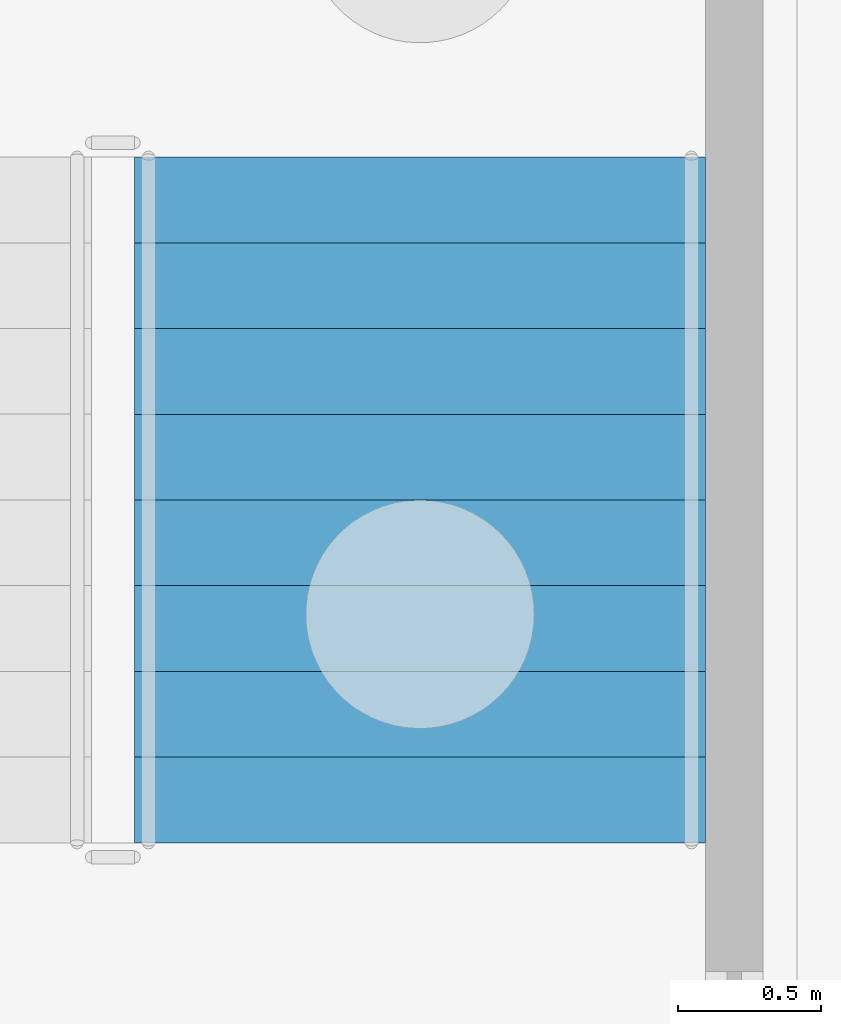
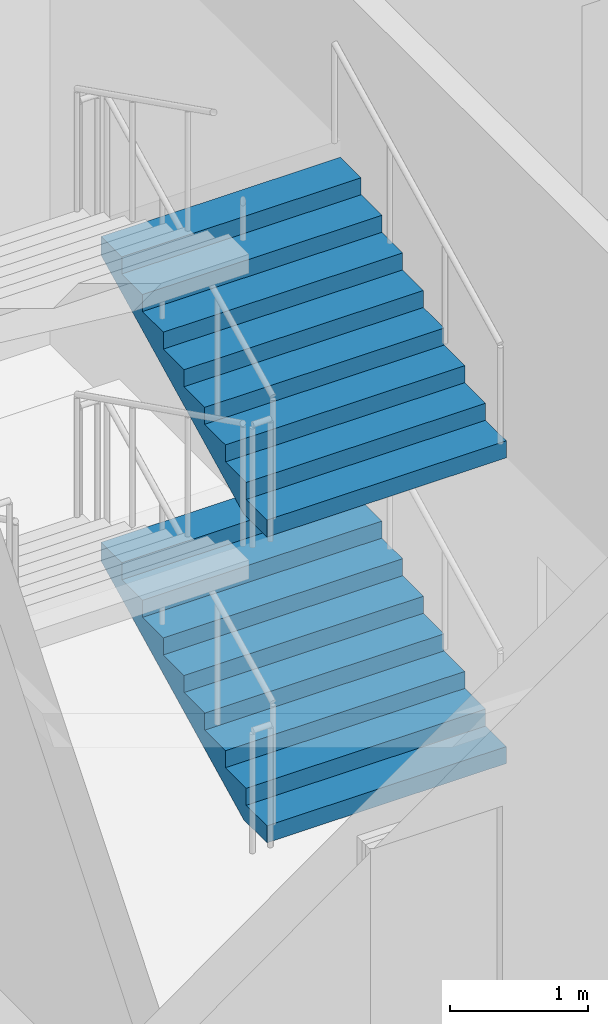
# One storey, part 73 of 129: 2 stair flights, 1 element without a shape of its own.
"""IFC4 building model written with IfcOpenShell, lengths in metres."""

from ifc_helpers import new_model, si_unit, direction, frame, origin, place, context, subcontext, project, spatial, faceted_brep, material, type_object, element, aggregate, save


model = new_model("IFC4")

# Units and contexts
model_context = context("Model", 3, precision=1e-05, world=origin(), true_north=direction((0.0, 1.0)))
body_context = subcontext(model_context, "Body", "Model", "MODEL_VIEW")
ifc_project = project(units=[si_unit("LENGTHUNIT", "METRE"), si_unit("AREAUNIT", "SQUARE_METRE"), si_unit("VOLUMEUNIT", "CUBIC_METRE"), si_unit("PLANEANGLEUNIT", "RADIAN"), si_unit("MASSUNIT", "GRAM", prefix="KILO")], contexts=[model_context])

# Site, building, storey
site_placement = place(None, origin())
site = spatial("IfcSite", under=ifc_project, at=site_placement, CompositionType="ELEMENT")
building_placement = place(site_placement, origin())
building = spatial("IfcBuilding", under=site, at=building_placement, Name="Kiln Court Media Centre", CompositionType="ELEMENT")
storey_placement = place(building_placement, origin())
storey = spatial("IfcBuildingStorey", under=building, at=storey_placement, Name="L00", CompositionType="ELEMENT", Elevation=0.0)

# Stair, stair flights
ifc_material_1 = material(Name="Concrete C40/50", Category="concrete")
stair_type = type_object("IfcStairType", Name="Concrete C40/50 dog-leg stair 2000 wide, 150 riser", PredefinedType="HALF_TURN_STAIR", material=ifc_material_1)
stair_placement = place(storey_placement, origin())
stair = element("IfcStair", 1, at=stair_placement, inside=storey, type_object=stair_type, Name="ST-06 L00", PredefinedType="HALF_TURN_STAIR")
ifc_material_2 = material(Name="Concrete C40/50", Category="concrete")
stair_flight_type = type_object("IfcStairFlightType", Name="Concrete C40/50 stair flight 2000 wide, 150 riser, 300 going", PredefinedType="STRAIGHT", material=ifc_material_2)
stair_flight_1_placement = place(storey_placement, frame((3.60009765625, 36.39990234375, 0.0), z_axis=(0.0, 0.0, 1.0), x_axis=(0.0, 1.0, 0.0)))
stair_flight_1 = element("IfcStairFlight", 2, at=stair_flight_1_placement, type_object=stair_flight_type, Name="L00-ST-5005 flight 5020", NumberOfRisers=9, NumberOfTreads=8, PredefinedType="STRAIGHT", RiserHeight=0.15, TreadLength=0.3, context=body_context, shape_type="Brep", body=[
    faceted_brep([(0.335205078125, -1.0, 0.0), (2.39990234375, -1.0, 1.032470703125), (2.39990234375, -1.0, 1.199951171875), (2.10009765625, -1.0, 1.199951171875), (2.10009765625, -1.0, 1.050048828125), (1.800048828125, -1.0, 1.050048828125), (1.800048828125, -1.0, 0.89990234375), (1.5, -1.0, 0.89990234375), (1.5, -1.0, 0.75), (1.199951171875, -1.0, 0.75), (1.199951171875, -1.0, 0.60009765625), (0.89990234375, -1.0, 0.60009765625), (0.89990234375, -1.0, 0.449951171875), (0.60009765625, -1.0, 0.449951171875), (0.60009765625, -1.0, 0.300048828125), (0.300048828125, -1.0, 0.300048828125), (0.300048828125, -1.0, 0.14990234375), (0.0, -1.0, 0.14990234375), (0.0, -1.0, 0.0), (0.0, 1.0, 0.0), (0.0, 1.0, 0.14990234375), (0.300048828125, 1.0, 0.14990234375), (0.300048828125, 1.0, 0.300048828125), (0.60009765625, 1.0, 0.300048828125), (0.60009765625, 1.0, 0.449951171875), (0.89990234375, 1.0, 0.449951171875), (0.89990234375, 1.0, 0.60009765625), (1.199951171875, 1.0, 0.60009765625), (1.199951171875, 1.0, 0.75), (1.5, 1.0, 0.75), (1.5, 1.0, 0.89990234375), (1.800048828125, 1.0, 0.89990234375), (1.800048828125, 1.0, 1.050048828125), (2.10009765625, 1.0, 1.050048828125), (2.10009765625, 1.0, 1.199951171875), (2.39990234375, 1.0, 1.199951171875), (2.39990234375, 1.0, 1.032470703125), (0.335205078125, 1.0, 0.0), (2.39990234375, 0.10009765625, 1.032470703125), (0.335205078125, 0.10009765625, 0.0), (2.39990234375, 0.080078125, 1.032470703125), (0.335205078125, 0.080078125, 0.0), (2.39990234375, 0.06005859375, 1.032470703125), (0.335205078125, 0.06005859375, 0.0), (2.39990234375, 0.0400390625, 1.032470703125), (0.335205078125, 0.0400390625, 0.0), (2.39990234375, 0.02001953125, 1.032470703125), (0.335205078125, 0.02001953125, 0.0), (2.39990234375, 0.0, 1.032470703125), (0.335205078125, 0.0, 0.0), (2.39990234375, -0.02001953125, 1.032470703125), (0.335205078125, -0.02001953125, 0.0), (2.39990234375, -0.0400390625, 1.032470703125), (0.335205078125, -0.0400390625, 0.0), (2.39990234375, -0.06005859375, 1.032470703125), (0.335205078125, -0.06005859375, 0.0), (2.39990234375, -0.080078125, 1.032470703125), (0.335205078125, -0.080078125, 0.0), (2.39990234375, -0.10009765625, 1.032470703125), (0.335205078125, -0.10009765625, 0.0), (2.39990234375, 0.10009765625, 1.199951171875), (2.39990234375, 0.080078125, 1.199951171875), (2.39990234375, 0.06005859375, 1.199951171875), (2.39990234375, 0.0400390625, 1.199951171875), (2.39990234375, 0.02001953125, 1.199951171875), (2.39990234375, 0.0, 1.199951171875), (2.39990234375, -0.02001953125, 1.199951171875), (2.39990234375, -0.0400390625, 1.199951171875), (2.39990234375, -0.06005859375, 1.199951171875), (2.39990234375, -0.080078125, 1.199951171875), (2.39990234375, -0.10009765625, 1.199951171875), (2.10009765625, 0.10009765625, 1.199951171875), (2.10009765625, 0.080078125, 1.199951171875), (2.10009765625, 0.06005859375, 1.199951171875), (2.10009765625, 0.0400390625, 1.199951171875), (2.10009765625, 0.02001953125, 1.199951171875), (2.10009765625, 0.0, 1.199951171875), (2.10009765625, -0.02001953125, 1.199951171875), (2.10009765625, -0.0400390625, 1.199951171875), (2.10009765625, -0.06005859375, 1.199951171875), (2.10009765625, -0.080078125, 1.199951171875), (2.10009765625, -0.10009765625, 1.199951171875), (2.10009765625, 0.10009765625, 1.050048828125), (2.10009765625, 0.080078125, 1.050048828125), (2.10009765625, 0.06005859375, 1.050048828125), (2.10009765625, 0.0400390625, 1.050048828125), (2.10009765625, 0.02001953125, 1.050048828125), (2.10009765625, 0.0, 1.050048828125), (2.10009765625, -0.02001953125, 1.050048828125), (2.10009765625, -0.0400390625, 1.050048828125), (2.10009765625, -0.06005859375, 1.050048828125), (2.10009765625, -0.080078125, 1.050048828125), (2.10009765625, -0.10009765625, 1.050048828125), (1.800048828125, 0.10009765625, 1.050048828125), (1.800048828125, 0.080078125, 1.050048828125), (1.800048828125, 0.06005859375, 1.050048828125), (1.800048828125, 0.0400390625, 1.050048828125), (1.800048828125, 0.02001953125, 1.050048828125), (1.800048828125, 0.0, 1.050048828125), (1.800048828125, -0.02001953125, 1.050048828125), (1.800048828125, -0.0400390625, 1.050048828125), (1.800048828125, -0.06005859375, 1.050048828125), (1.800048828125, -0.080078125, 1.050048828125), (1.800048828125, -0.10009765625, 1.050048828125), (1.800048828125, 0.10009765625, 0.89990234375), (1.800048828125, 0.080078125, 0.89990234375), (1.800048828125, 0.06005859375, 0.89990234375), (1.800048828125, 0.0400390625, 0.89990234375), (1.800048828125, 0.02001953125, 0.89990234375), (1.800048828125, 0.0, 0.89990234375), (1.800048828125, -0.02001953125, 0.89990234375), (1.800048828125, -0.0400390625, 0.89990234375), (1.800048828125, -0.06005859375, 0.89990234375), (1.800048828125, -0.080078125, 0.89990234375), (1.800048828125, -0.10009765625, 0.89990234375), (1.5, 0.10009765625, 0.89990234375), (1.5, 0.080078125, 0.89990234375), (1.5, 0.06005859375, 0.89990234375), (1.5, 0.0400390625, 0.89990234375), (1.5, 0.02001953125, 0.89990234375), (1.5, 0.0, 0.89990234375), (1.5, -0.02001953125, 0.89990234375), (1.5, -0.0400390625, 0.89990234375), (1.5, -0.06005859375, 0.89990234375), (1.5, -0.080078125, 0.89990234375), (1.5, -0.10009765625, 0.89990234375), (1.5, 0.10009765625, 0.75), (1.5, 0.080078125, 0.75), (1.5, 0.06005859375, 0.75), (1.5, 0.0400390625, 0.75), (1.5, 0.02001953125, 0.75), (1.5, 0.0, 0.75), (1.5, -0.02001953125, 0.75), (1.5, -0.0400390625, 0.75), (1.5, -0.06005859375, 0.75), (1.5, -0.080078125, 0.75), (1.5, -0.10009765625, 0.75), (1.199951171875, 0.10009765625, 0.75), (1.199951171875, 0.080078125, 0.75), (1.199951171875, 0.06005859375, 0.75), (1.199951171875, 0.0400390625, 0.75), (1.199951171875, 0.02001953125, 0.75), (1.199951171875, 0.0, 0.75), (1.199951171875, -0.02001953125, 0.75), (1.199951171875, -0.0400390625, 0.75), (1.199951171875, -0.06005859375, 0.75), (1.199951171875, -0.080078125, 0.75), (1.199951171875, -0.10009765625, 0.75), (1.199951171875, 0.10009765625, 0.60009765625), (1.199951171875, 0.080078125, 0.60009765625), (1.199951171875, 0.06005859375, 0.60009765625), (1.199951171875, 0.0400390625, 0.60009765625), (1.199951171875, 0.02001953125, 0.60009765625), (1.199951171875, 0.0, 0.60009765625), (1.199951171875, -0.02001953125, 0.60009765625), (1.199951171875, -0.0400390625, 0.60009765625), (1.199951171875, -0.06005859375, 0.60009765625), (1.199951171875, -0.080078125, 0.60009765625), (1.199951171875, -0.10009765625, 0.60009765625), (0.89990234375, 0.10009765625, 0.60009765625), (0.89990234375, 0.080078125, 0.60009765625), (0.89990234375, 0.06005859375, 0.60009765625), (0.89990234375, 0.0400390625, 0.60009765625), (0.89990234375, 0.02001953125, 0.60009765625), (0.89990234375, 0.0, 0.60009765625), (0.89990234375, -0.02001953125, 0.60009765625), (0.89990234375, -0.0400390625, 0.60009765625), (0.89990234375, -0.06005859375, 0.60009765625), (0.89990234375, -0.080078125, 0.60009765625), (0.89990234375, -0.10009765625, 0.60009765625), (0.89990234375, 0.10009765625, 0.449951171875), (0.89990234375, 0.080078125, 0.449951171875), (0.89990234375, 0.06005859375, 0.449951171875), (0.89990234375, 0.0400390625, 0.449951171875), (0.89990234375, 0.02001953125, 0.449951171875), (0.89990234375, 0.0, 0.449951171875), (0.89990234375, -0.02001953125, 0.449951171875), (0.89990234375, -0.0400390625, 0.449951171875), (0.89990234375, -0.06005859375, 0.449951171875), (0.89990234375, -0.080078125, 0.449951171875), (0.89990234375, -0.10009765625, 0.449951171875), (0.60009765625, 0.10009765625, 0.449951171875), (0.60009765625, 0.080078125, 0.449951171875), (0.60009765625, 0.06005859375, 0.449951171875), (0.60009765625, 0.0400390625, 0.449951171875), (0.60009765625, 0.02001953125, 0.449951171875), (0.60009765625, 0.0, 0.449951171875), (0.60009765625, -0.02001953125, 0.449951171875), (0.60009765625, -0.0400390625, 0.449951171875), (0.60009765625, -0.06005859375, 0.449951171875), (0.60009765625, -0.080078125, 0.449951171875), (0.60009765625, -0.10009765625, 0.449951171875), (0.60009765625, 0.10009765625, 0.300048828125), (0.60009765625, 0.080078125, 0.300048828125), (0.60009765625, 0.06005859375, 0.300048828125), (0.60009765625, 0.0400390625, 0.300048828125), (0.60009765625, 0.02001953125, 0.300048828125), (0.60009765625, 0.0, 0.300048828125), (0.60009765625, -0.02001953125, 0.300048828125), (0.60009765625, -0.0400390625, 0.300048828125), (0.60009765625, -0.06005859375, 0.300048828125), (0.60009765625, -0.080078125, 0.300048828125), (0.60009765625, -0.10009765625, 0.300048828125), (0.300048828125, 0.10009765625, 0.300048828125), (0.300048828125, 0.080078125, 0.300048828125), (0.300048828125, 0.06005859375, 0.300048828125), (0.300048828125, 0.0400390625, 0.300048828125), (0.300048828125, 0.02001953125, 0.300048828125), (0.300048828125, 0.0, 0.300048828125), (0.300048828125, -0.02001953125, 0.300048828125), (0.300048828125, -0.0400390625, 0.300048828125), (0.300048828125, -0.06005859375, 0.300048828125), (0.300048828125, -0.080078125, 0.300048828125), (0.300048828125, -0.10009765625, 0.300048828125), (0.300048828125, 0.10009765625, 0.14990234375), (0.300048828125, 0.080078125, 0.14990234375), (0.300048828125, 0.06005859375, 0.14990234375), (0.300048828125, 0.0400390625, 0.14990234375), (0.300048828125, 0.02001953125, 0.14990234375), (0.300048828125, 0.0, 0.14990234375), (0.300048828125, -0.02001953125, 0.14990234375), (0.300048828125, -0.0400390625, 0.14990234375), (0.300048828125, -0.06005859375, 0.14990234375), (0.300048828125, -0.080078125, 0.14990234375), (0.300048828125, -0.10009765625, 0.14990234375), (0.0, 0.10009765625, 0.14990234375), (0.0, 0.080078125, 0.14990234375), (0.0, 0.06005859375, 0.14990234375), (0.0, 0.0400390625, 0.14990234375), (0.0, 0.02001953125, 0.14990234375), (0.0, 0.0, 0.14990234375), (0.0, -0.02001953125, 0.14990234375), (0.0, -0.0400390625, 0.14990234375), (0.0, -0.06005859375, 0.14990234375), (0.0, -0.080078125, 0.14990234375), (0.0, -0.10009765625, 0.14990234375), (0.0, 0.10009765625, 0.0), (0.0, 0.080078125, 0.0), (0.0, 0.06005859375, 0.0), (0.0, 0.0400390625, 0.0), (0.0, 0.02001953125, 0.0), (0.0, 0.0, 0.0), (0.0, -0.02001953125, 0.0), (0.0, -0.0400390625, 0.0), (0.0, -0.06005859375, 0.0), (0.0, -0.080078125, 0.0), (0.0, -0.10009765625, 0.0)], [[[0, 1, 2, 3, 4, 5, 6, 7, 8, 9, 10, 11, 12, 13, 14, 15, 16, 17, 18]], [[19, 20, 21, 22, 23, 24, 25, 26, 27, 28, 29, 30, 31, 32, 33, 34, 35, 36, 37]], [[37, 36, 38, 39]], [[39, 38, 40, 41]], [[41, 40, 42, 43]], [[43, 42, 44, 45]], [[45, 44, 46, 47]], [[47, 46, 48, 49]], [[49, 48, 50, 51]], [[51, 50, 52, 53]], [[53, 52, 54, 55]], [[55, 54, 56, 57]], [[57, 56, 58, 59]], [[59, 58, 1, 0]], [[36, 35, 60, 38]], [[38, 60, 61, 40]], [[40, 61, 62, 42]], [[42, 62, 63, 44]], [[44, 63, 64, 46]], [[46, 64, 65, 48]], [[48, 65, 66, 50]], [[50, 66, 67, 52]], [[52, 67, 68, 54]], [[54, 68, 69, 56]], [[56, 69, 70, 58]], [[58, 70, 2, 1]], [[35, 34, 71, 60]], [[60, 71, 72, 61]], [[61, 72, 73, 62]], [[62, 73, 74, 63]], [[63, 74, 75, 64]], [[64, 75, 76, 65]], [[65, 76, 77, 66]], [[66, 77, 78, 67]], [[67, 78, 79, 68]], [[68, 79, 80, 69]], [[69, 80, 81, 70]], [[70, 81, 3, 2]], [[34, 33, 82, 71]], [[71, 82, 83, 72]], [[72, 83, 84, 73]], [[73, 84, 85, 74]], [[74, 85, 86, 75]], [[75, 86, 87, 76]], [[76, 87, 88, 77]], [[77, 88, 89, 78]], [[78, 89, 90, 79]], [[79, 90, 91, 80]], [[80, 91, 92, 81]], [[81, 92, 4, 3]], [[33, 32, 93, 82]], [[82, 93, 94, 83]], [[83, 94, 95, 84]], [[84, 95, 96, 85]], [[85, 96, 97, 86]], [[86, 97, 98, 87]], [[87, 98, 99, 88]], [[88, 99, 100, 89]], [[89, 100, 101, 90]], [[90, 101, 102, 91]], [[91, 102, 103, 92]], [[92, 103, 5, 4]], [[32, 31, 104, 93]], [[93, 104, 105, 94]], [[94, 105, 106, 95]], [[95, 106, 107, 96]], [[96, 107, 108, 97]], [[97, 108, 109, 98]], [[98, 109, 110, 99]], [[99, 110, 111, 100]], [[100, 111, 112, 101]], [[101, 112, 113, 102]], [[102, 113, 114, 103]], [[103, 114, 6, 5]], [[31, 30, 115, 104]], [[104, 115, 116, 105]], [[105, 116, 117, 106]], [[106, 117, 118, 107]], [[107, 118, 119, 108]], [[108, 119, 120, 109]], [[109, 120, 121, 110]], [[110, 121, 122, 111]], [[111, 122, 123, 112]], [[112, 123, 124, 113]], [[113, 124, 125, 114]], [[114, 125, 7, 6]], [[30, 29, 126, 115]], [[115, 126, 127, 116]], [[116, 127, 128, 117]], [[117, 128, 129, 118]], [[118, 129, 130, 119]], [[119, 130, 131, 120]], [[120, 131, 132, 121]], [[121, 132, 133, 122]], [[122, 133, 134, 123]], [[123, 134, 135, 124]], [[124, 135, 136, 125]], [[125, 136, 8, 7]], [[29, 28, 137, 126]], [[126, 137, 138, 127]], [[127, 138, 139, 128]], [[128, 139, 140, 129]], [[129, 140, 141, 130]], [[130, 141, 142, 131]], [[131, 142, 143, 132]], [[132, 143, 144, 133]], [[133, 144, 145, 134]], [[134, 145, 146, 135]], [[135, 146, 147, 136]], [[136, 147, 9, 8]], [[28, 27, 148, 137]], [[137, 148, 149, 138]], [[138, 149, 150, 139]], [[139, 150, 151, 140]], [[140, 151, 152, 141]], [[141, 152, 153, 142]], [[142, 153, 154, 143]], [[143, 154, 155, 144]], [[144, 155, 156, 145]], [[145, 156, 157, 146]], [[146, 157, 158, 147]], [[147, 158, 10, 9]], [[27, 26, 159, 148]], [[148, 159, 160, 149]], [[149, 160, 161, 150]], [[150, 161, 162, 151]], [[151, 162, 163, 152]], [[152, 163, 164, 153]], [[153, 164, 165, 154]], [[154, 165, 166, 155]], [[155, 166, 167, 156]], [[156, 167, 168, 157]], [[157, 168, 169, 158]], [[158, 169, 11, 10]], [[26, 25, 170, 159]], [[159, 170, 171, 160]], [[160, 171, 172, 161]], [[161, 172, 173, 162]], [[162, 173, 174, 163]], [[163, 174, 175, 164]], [[164, 175, 176, 165]], [[165, 176, 177, 166]], [[166, 177, 178, 167]], [[167, 178, 179, 168]], [[168, 179, 180, 169]], [[169, 180, 12, 11]], [[25, 24, 181, 170]], [[170, 181, 182, 171]], [[171, 182, 183, 172]], [[172, 183, 184, 173]], [[173, 184, 185, 174]], [[174, 185, 186, 175]], [[175, 186, 187, 176]], [[176, 187, 188, 177]], [[177, 188, 189, 178]], [[178, 189, 190, 179]], [[179, 190, 191, 180]], [[180, 191, 13, 12]], [[24, 23, 192, 181]], [[181, 192, 193, 182]], [[182, 193, 194, 183]], [[183, 194, 195, 184]], [[184, 195, 196, 185]], [[185, 196, 197, 186]], [[186, 197, 198, 187]], [[187, 198, 199, 188]], [[188, 199, 200, 189]], [[189, 200, 201, 190]], [[190, 201, 202, 191]], [[191, 202, 14, 13]], [[23, 22, 203, 192]], [[192, 203, 204, 193]], [[193, 204, 205, 194]], [[194, 205, 206, 195]], [[195, 206, 207, 196]], [[196, 207, 208, 197]], [[197, 208, 209, 198]], [[198, 209, 210, 199]], [[199, 210, 211, 200]], [[200, 211, 212, 201]], [[201, 212, 213, 202]], [[202, 213, 15, 14]], [[22, 21, 214, 203]], [[203, 214, 215, 204]], [[204, 215, 216, 205]], [[205, 216, 217, 206]], [[206, 217, 218, 207]], [[207, 218, 219, 208]], [[208, 219, 220, 209]], [[209, 220, 221, 210]], [[210, 221, 222, 211]], [[211, 222, 223, 212]], [[212, 223, 224, 213]], [[213, 224, 16, 15]], [[21, 20, 225, 214]], [[214, 225, 226, 215]], [[215, 226, 227, 216]], [[216, 227, 228, 217]], [[217, 228, 229, 218]], [[218, 229, 230, 219]], [[219, 230, 231, 220]], [[220, 231, 232, 221]], [[221, 232, 233, 222]], [[222, 233, 234, 223]], [[223, 234, 235, 224]], [[224, 235, 17, 16]], [[20, 19, 236, 225]], [[225, 236, 237, 226]], [[226, 237, 238, 227]], [[227, 238, 239, 228]], [[228, 239, 240, 229]], [[229, 240, 241, 230]], [[230, 241, 242, 231]], [[231, 242, 243, 232]], [[232, 243, 244, 233]], [[233, 244, 245, 234]], [[234, 245, 246, 235]], [[235, 246, 18, 17]], [[19, 37, 39, 236]], [[236, 39, 41, 237]], [[237, 41, 43, 238]], [[238, 43, 45, 239]], [[239, 45, 47, 240]], [[240, 47, 49, 241]], [[241, 49, 51, 242]], [[242, 51, 53, 243]], [[243, 53, 55, 244]], [[244, 55, 57, 245]], [[245, 57, 59, 246]], [[246, 59, 0, 18]]]),
])
stair_flight_2_placement = place(storey_placement, frame((3.60009765625, 36.39990234375, 2.699951171875), z_axis=(0.0, 0.0, 1.0), x_axis=(0.0, 1.0, 0.0)))
stair_flight_2 = element("IfcStairFlight", 3, at=stair_flight_2_placement, type_object=stair_flight_type, Name="L00-ST-5005 flight 5022", NumberOfRisers=9, NumberOfTreads=8, PredefinedType="STRAIGHT", RiserHeight=0.15, TreadLength=0.3, context=body_context, shape_type="Brep", body=[
    faceted_brep([(0.335205078125, -1.0, 0.0), (2.39990234375, -1.0, 1.032470703125), (2.39990234375, -1.0, 1.199951171875), (2.10009765625, -1.0, 1.199951171875), (2.10009765625, -1.0, 1.050048828125), (1.800048828125, -1.0, 1.050048828125), (1.800048828125, -1.0, 0.89990234375), (1.5, -1.0, 0.89990234375), (1.5, -1.0, 0.75), (1.199951171875, -1.0, 0.75), (1.199951171875, -1.0, 0.60009765625), (0.89990234375, -1.0, 0.60009765625), (0.89990234375, -1.0, 0.449951171875), (0.60009765625, -1.0, 0.449951171875), (0.60009765625, -1.0, 0.300048828125), (0.300048828125, -1.0, 0.300048828125), (0.300048828125, -1.0, 0.14990234375), (0.0, -1.0, 0.14990234375), (0.0, -1.0, 0.0), (0.0, 1.0, 0.0), (0.0, 1.0, 0.14990234375), (0.300048828125, 1.0, 0.14990234375), (0.300048828125, 1.0, 0.300048828125), (0.60009765625, 1.0, 0.300048828125), (0.60009765625, 1.0, 0.449951171875), (0.89990234375, 1.0, 0.449951171875), (0.89990234375, 1.0, 0.60009765625), (1.199951171875, 1.0, 0.60009765625), (1.199951171875, 1.0, 0.75), (1.5, 1.0, 0.75), (1.5, 1.0, 0.89990234375), (1.800048828125, 1.0, 0.89990234375), (1.800048828125, 1.0, 1.050048828125), (2.10009765625, 1.0, 1.050048828125), (2.10009765625, 1.0, 1.199951171875), (2.39990234375, 1.0, 1.199951171875), (2.39990234375, 1.0, 1.032470703125), (0.335205078125, 1.0, 0.0), (2.39990234375, 0.10009765625, 1.032470703125), (0.335205078125, 0.10009765625, 0.0), (2.39990234375, 0.080078125, 1.032470703125), (0.335205078125, 0.080078125, 0.0), (2.39990234375, 0.06005859375, 1.032470703125), (0.335205078125, 0.06005859375, 0.0), (2.39990234375, 0.0400390625, 1.032470703125), (0.335205078125, 0.0400390625, 0.0), (2.39990234375, 0.02001953125, 1.032470703125), (0.335205078125, 0.02001953125, 0.0), (2.39990234375, 0.0, 1.032470703125), (0.335205078125, 0.0, 0.0), (2.39990234375, -0.02001953125, 1.032470703125), (0.335205078125, -0.02001953125, 0.0), (2.39990234375, -0.0400390625, 1.032470703125), (0.335205078125, -0.0400390625, 0.0), (2.39990234375, -0.06005859375, 1.032470703125), (0.335205078125, -0.06005859375, 0.0), (2.39990234375, -0.080078125, 1.032470703125), (0.335205078125, -0.080078125, 0.0), (2.39990234375, -0.10009765625, 1.032470703125), (0.335205078125, -0.10009765625, 0.0), (2.39990234375, 0.10009765625, 1.199951171875), (2.39990234375, 0.080078125, 1.199951171875), (2.39990234375, 0.06005859375, 1.199951171875), (2.39990234375, 0.0400390625, 1.199951171875), (2.39990234375, 0.02001953125, 1.199951171875), (2.39990234375, 0.0, 1.199951171875), (2.39990234375, -0.02001953125, 1.199951171875), (2.39990234375, -0.0400390625, 1.199951171875), (2.39990234375, -0.06005859375, 1.199951171875), (2.39990234375, -0.080078125, 1.199951171875), (2.39990234375, -0.10009765625, 1.199951171875), (2.10009765625, 0.10009765625, 1.199951171875), (2.10009765625, 0.080078125, 1.199951171875), (2.10009765625, 0.06005859375, 1.199951171875), (2.10009765625, 0.0400390625, 1.199951171875), (2.10009765625, 0.02001953125, 1.199951171875), (2.10009765625, 0.0, 1.199951171875), (2.10009765625, -0.02001953125, 1.199951171875), (2.10009765625, -0.0400390625, 1.199951171875), (2.10009765625, -0.06005859375, 1.199951171875), (2.10009765625, -0.080078125, 1.199951171875), (2.10009765625, -0.10009765625, 1.199951171875), (2.10009765625, 0.10009765625, 1.050048828125), (2.10009765625, 0.080078125, 1.050048828125), (2.10009765625, 0.06005859375, 1.050048828125), (2.10009765625, 0.0400390625, 1.050048828125), (2.10009765625, 0.02001953125, 1.050048828125), (2.10009765625, 0.0, 1.050048828125), (2.10009765625, -0.02001953125, 1.050048828125), (2.10009765625, -0.0400390625, 1.050048828125), (2.10009765625, -0.06005859375, 1.050048828125), (2.10009765625, -0.080078125, 1.050048828125), (2.10009765625, -0.10009765625, 1.050048828125), (1.800048828125, 0.10009765625, 1.050048828125), (1.800048828125, 0.080078125, 1.050048828125), (1.800048828125, 0.06005859375, 1.050048828125), (1.800048828125, 0.0400390625, 1.050048828125), (1.800048828125, 0.02001953125, 1.050048828125), (1.800048828125, 0.0, 1.050048828125), (1.800048828125, -0.02001953125, 1.050048828125), (1.800048828125, -0.0400390625, 1.050048828125), (1.800048828125, -0.06005859375, 1.050048828125), (1.800048828125, -0.080078125, 1.050048828125), (1.800048828125, -0.10009765625, 1.050048828125), (1.800048828125, 0.10009765625, 0.89990234375), (1.800048828125, 0.080078125, 0.89990234375), (1.800048828125, 0.06005859375, 0.89990234375), (1.800048828125, 0.0400390625, 0.89990234375), (1.800048828125, 0.02001953125, 0.89990234375), (1.800048828125, 0.0, 0.89990234375), (1.800048828125, -0.02001953125, 0.89990234375), (1.800048828125, -0.0400390625, 0.89990234375), (1.800048828125, -0.06005859375, 0.89990234375), (1.800048828125, -0.080078125, 0.89990234375), (1.800048828125, -0.10009765625, 0.89990234375), (1.5, 0.10009765625, 0.89990234375), (1.5, 0.080078125, 0.89990234375), (1.5, 0.06005859375, 0.89990234375), (1.5, 0.0400390625, 0.89990234375), (1.5, 0.02001953125, 0.89990234375), (1.5, 0.0, 0.89990234375), (1.5, -0.02001953125, 0.89990234375), (1.5, -0.0400390625, 0.89990234375), (1.5, -0.06005859375, 0.89990234375), (1.5, -0.080078125, 0.89990234375), (1.5, -0.10009765625, 0.89990234375), (1.5, 0.10009765625, 0.75), (1.5, 0.080078125, 0.75), (1.5, 0.06005859375, 0.75), (1.5, 0.0400390625, 0.75), (1.5, 0.02001953125, 0.75), (1.5, 0.0, 0.75), (1.5, -0.02001953125, 0.75), (1.5, -0.0400390625, 0.75), (1.5, -0.06005859375, 0.75), (1.5, -0.080078125, 0.75), (1.5, -0.10009765625, 0.75), (1.199951171875, 0.10009765625, 0.75), (1.199951171875, 0.080078125, 0.75), (1.199951171875, 0.06005859375, 0.75), (1.199951171875, 0.0400390625, 0.75), (1.199951171875, 0.02001953125, 0.75), (1.199951171875, 0.0, 0.75), (1.199951171875, -0.02001953125, 0.75), (1.199951171875, -0.0400390625, 0.75), (1.199951171875, -0.06005859375, 0.75), (1.199951171875, -0.080078125, 0.75), (1.199951171875, -0.10009765625, 0.75), (1.199951171875, 0.10009765625, 0.60009765625), (1.199951171875, 0.080078125, 0.60009765625), (1.199951171875, 0.06005859375, 0.60009765625), (1.199951171875, 0.0400390625, 0.60009765625), (1.199951171875, 0.02001953125, 0.60009765625), (1.199951171875, 0.0, 0.60009765625), (1.199951171875, -0.02001953125, 0.60009765625), (1.199951171875, -0.0400390625, 0.60009765625), (1.199951171875, -0.06005859375, 0.60009765625), (1.199951171875, -0.080078125, 0.60009765625), (1.199951171875, -0.10009765625, 0.60009765625), (0.89990234375, 0.10009765625, 0.60009765625), (0.89990234375, 0.080078125, 0.60009765625), (0.89990234375, 0.06005859375, 0.60009765625), (0.89990234375, 0.0400390625, 0.60009765625), (0.89990234375, 0.02001953125, 0.60009765625), (0.89990234375, 0.0, 0.60009765625), (0.89990234375, -0.02001953125, 0.60009765625), (0.89990234375, -0.0400390625, 0.60009765625), (0.89990234375, -0.06005859375, 0.60009765625), (0.89990234375, -0.080078125, 0.60009765625), (0.89990234375, -0.10009765625, 0.60009765625), (0.89990234375, 0.10009765625, 0.449951171875), (0.89990234375, 0.080078125, 0.449951171875), (0.89990234375, 0.06005859375, 0.449951171875), (0.89990234375, 0.0400390625, 0.449951171875), (0.89990234375, 0.02001953125, 0.449951171875), (0.89990234375, 0.0, 0.449951171875), (0.89990234375, -0.02001953125, 0.449951171875), (0.89990234375, -0.0400390625, 0.449951171875), (0.89990234375, -0.06005859375, 0.449951171875), (0.89990234375, -0.080078125, 0.449951171875), (0.89990234375, -0.10009765625, 0.449951171875), (0.60009765625, 0.10009765625, 0.449951171875), (0.60009765625, 0.080078125, 0.449951171875), (0.60009765625, 0.06005859375, 0.449951171875), (0.60009765625, 0.0400390625, 0.449951171875), (0.60009765625, 0.02001953125, 0.449951171875), (0.60009765625, 0.0, 0.449951171875), (0.60009765625, -0.02001953125, 0.449951171875), (0.60009765625, -0.0400390625, 0.449951171875), (0.60009765625, -0.06005859375, 0.449951171875), (0.60009765625, -0.080078125, 0.449951171875), (0.60009765625, -0.10009765625, 0.449951171875), (0.60009765625, 0.10009765625, 0.300048828125), (0.60009765625, 0.080078125, 0.300048828125), (0.60009765625, 0.06005859375, 0.300048828125), (0.60009765625, 0.0400390625, 0.300048828125), (0.60009765625, 0.02001953125, 0.300048828125), (0.60009765625, 0.0, 0.300048828125), (0.60009765625, -0.02001953125, 0.300048828125), (0.60009765625, -0.0400390625, 0.300048828125), (0.60009765625, -0.06005859375, 0.300048828125), (0.60009765625, -0.080078125, 0.300048828125), (0.60009765625, -0.10009765625, 0.300048828125), (0.300048828125, 0.10009765625, 0.300048828125), (0.300048828125, 0.080078125, 0.300048828125), (0.300048828125, 0.06005859375, 0.300048828125), (0.300048828125, 0.0400390625, 0.300048828125), (0.300048828125, 0.02001953125, 0.300048828125), (0.300048828125, 0.0, 0.300048828125), (0.300048828125, -0.02001953125, 0.300048828125), (0.300048828125, -0.0400390625, 0.300048828125), (0.300048828125, -0.06005859375, 0.300048828125), (0.300048828125, -0.080078125, 0.300048828125), (0.300048828125, -0.10009765625, 0.300048828125), (0.300048828125, 0.10009765625, 0.14990234375), (0.300048828125, 0.080078125, 0.14990234375), (0.300048828125, 0.06005859375, 0.14990234375), (0.300048828125, 0.0400390625, 0.14990234375), (0.300048828125, 0.02001953125, 0.14990234375), (0.300048828125, 0.0, 0.14990234375), (0.300048828125, -0.02001953125, 0.14990234375), (0.300048828125, -0.0400390625, 0.14990234375), (0.300048828125, -0.06005859375, 0.14990234375), (0.300048828125, -0.080078125, 0.14990234375), (0.300048828125, -0.10009765625, 0.14990234375), (0.0, 0.10009765625, 0.14990234375), (0.0, 0.080078125, 0.14990234375), (0.0, 0.06005859375, 0.14990234375), (0.0, 0.0400390625, 0.14990234375), (0.0, 0.02001953125, 0.14990234375), (0.0, 0.0, 0.14990234375), (0.0, -0.02001953125, 0.14990234375), (0.0, -0.0400390625, 0.14990234375), (0.0, -0.06005859375, 0.14990234375), (0.0, -0.080078125, 0.14990234375), (0.0, -0.10009765625, 0.14990234375), (0.0, 0.10009765625, 0.0), (0.0, 0.080078125, 0.0), (0.0, 0.06005859375, 0.0), (0.0, 0.0400390625, 0.0), (0.0, 0.02001953125, 0.0), (0.0, 0.0, 0.0), (0.0, -0.02001953125, 0.0), (0.0, -0.0400390625, 0.0), (0.0, -0.06005859375, 0.0), (0.0, -0.080078125, 0.0), (0.0, -0.10009765625, 0.0)], [[[0, 1, 2, 3, 4, 5, 6, 7, 8, 9, 10, 11, 12, 13, 14, 15, 16, 17, 18]], [[19, 20, 21, 22, 23, 24, 25, 26, 27, 28, 29, 30, 31, 32, 33, 34, 35, 36, 37]], [[37, 36, 38, 39]], [[39, 38, 40, 41]], [[41, 40, 42, 43]], [[43, 42, 44, 45]], [[45, 44, 46, 47]], [[47, 46, 48, 49]], [[49, 48, 50, 51]], [[51, 50, 52, 53]], [[53, 52, 54, 55]], [[55, 54, 56, 57]], [[57, 56, 58, 59]], [[59, 58, 1, 0]], [[36, 35, 60, 38]], [[38, 60, 61, 40]], [[40, 61, 62, 42]], [[42, 62, 63, 44]], [[44, 63, 64, 46]], [[46, 64, 65, 48]], [[48, 65, 66, 50]], [[50, 66, 67, 52]], [[52, 67, 68, 54]], [[54, 68, 69, 56]], [[56, 69, 70, 58]], [[58, 70, 2, 1]], [[35, 34, 71, 60]], [[60, 71, 72, 61]], [[61, 72, 73, 62]], [[62, 73, 74, 63]], [[63, 74, 75, 64]], [[64, 75, 76, 65]], [[65, 76, 77, 66]], [[66, 77, 78, 67]], [[67, 78, 79, 68]], [[68, 79, 80, 69]], [[69, 80, 81, 70]], [[70, 81, 3, 2]], [[34, 33, 82, 71]], [[71, 82, 83, 72]], [[72, 83, 84, 73]], [[73, 84, 85, 74]], [[74, 85, 86, 75]], [[75, 86, 87, 76]], [[76, 87, 88, 77]], [[77, 88, 89, 78]], [[78, 89, 90, 79]], [[79, 90, 91, 80]], [[80, 91, 92, 81]], [[81, 92, 4, 3]], [[33, 32, 93, 82]], [[82, 93, 94, 83]], [[83, 94, 95, 84]], [[84, 95, 96, 85]], [[85, 96, 97, 86]], [[86, 97, 98, 87]], [[87, 98, 99, 88]], [[88, 99, 100, 89]], [[89, 100, 101, 90]], [[90, 101, 102, 91]], [[91, 102, 103, 92]], [[92, 103, 5, 4]], [[32, 31, 104, 93]], [[93, 104, 105, 94]], [[94, 105, 106, 95]], [[95, 106, 107, 96]], [[96, 107, 108, 97]], [[97, 108, 109, 98]], [[98, 109, 110, 99]], [[99, 110, 111, 100]], [[100, 111, 112, 101]], [[101, 112, 113, 102]], [[102, 113, 114, 103]], [[103, 114, 6, 5]], [[31, 30, 115, 104]], [[104, 115, 116, 105]], [[105, 116, 117, 106]], [[106, 117, 118, 107]], [[107, 118, 119, 108]], [[108, 119, 120, 109]], [[109, 120, 121, 110]], [[110, 121, 122, 111]], [[111, 122, 123, 112]], [[112, 123, 124, 113]], [[113, 124, 125, 114]], [[114, 125, 7, 6]], [[30, 29, 126, 115]], [[115, 126, 127, 116]], [[116, 127, 128, 117]], [[117, 128, 129, 118]], [[118, 129, 130, 119]], [[119, 130, 131, 120]], [[120, 131, 132, 121]], [[121, 132, 133, 122]], [[122, 133, 134, 123]], [[123, 134, 135, 124]], [[124, 135, 136, 125]], [[125, 136, 8, 7]], [[29, 28, 137, 126]], [[126, 137, 138, 127]], [[127, 138, 139, 128]], [[128, 139, 140, 129]], [[129, 140, 141, 130]], [[130, 141, 142, 131]], [[131, 142, 143, 132]], [[132, 143, 144, 133]], [[133, 144, 145, 134]], [[134, 145, 146, 135]], [[135, 146, 147, 136]], [[136, 147, 9, 8]], [[28, 27, 148, 137]], [[137, 148, 149, 138]], [[138, 149, 150, 139]], [[139, 150, 151, 140]], [[140, 151, 152, 141]], [[141, 152, 153, 142]], [[142, 153, 154, 143]], [[143, 154, 155, 144]], [[144, 155, 156, 145]], [[145, 156, 157, 146]], [[146, 157, 158, 147]], [[147, 158, 10, 9]], [[27, 26, 159, 148]], [[148, 159, 160, 149]], [[149, 160, 161, 150]], [[150, 161, 162, 151]], [[151, 162, 163, 152]], [[152, 163, 164, 153]], [[153, 164, 165, 154]], [[154, 165, 166, 155]], [[155, 166, 167, 156]], [[156, 167, 168, 157]], [[157, 168, 169, 158]], [[158, 169, 11, 10]], [[26, 25, 170, 159]], [[159, 170, 171, 160]], [[160, 171, 172, 161]], [[161, 172, 173, 162]], [[162, 173, 174, 163]], [[163, 174, 175, 164]], [[164, 175, 176, 165]], [[165, 176, 177, 166]], [[166, 177, 178, 167]], [[167, 178, 179, 168]], [[168, 179, 180, 169]], [[169, 180, 12, 11]], [[25, 24, 181, 170]], [[170, 181, 182, 171]], [[171, 182, 183, 172]], [[172, 183, 184, 173]], [[173, 184, 185, 174]], [[174, 185, 186, 175]], [[175, 186, 187, 176]], [[176, 187, 188, 177]], [[177, 188, 189, 178]], [[178, 189, 190, 179]], [[179, 190, 191, 180]], [[180, 191, 13, 12]], [[24, 23, 192, 181]], [[181, 192, 193, 182]], [[182, 193, 194, 183]], [[183, 194, 195, 184]], [[184, 195, 196, 185]], [[185, 196, 197, 186]], [[186, 197, 198, 187]], [[187, 198, 199, 188]], [[188, 199, 200, 189]], [[189, 200, 201, 190]], [[190, 201, 202, 191]], [[191, 202, 14, 13]], [[23, 22, 203, 192]], [[192, 203, 204, 193]], [[193, 204, 205, 194]], [[194, 205, 206, 195]], [[195, 206, 207, 196]], [[196, 207, 208, 197]], [[197, 208, 209, 198]], [[198, 209, 210, 199]], [[199, 210, 211, 200]], [[200, 211, 212, 201]], [[201, 212, 213, 202]], [[202, 213, 15, 14]], [[22, 21, 214, 203]], [[203, 214, 215, 204]], [[204, 215, 216, 205]], [[205, 216, 217, 206]], [[206, 217, 218, 207]], [[207, 218, 219, 208]], [[208, 219, 220, 209]], [[209, 220, 221, 210]], [[210, 221, 222, 211]], [[211, 222, 223, 212]], [[212, 223, 224, 213]], [[213, 224, 16, 15]], [[21, 20, 225, 214]], [[214, 225, 226, 215]], [[215, 226, 227, 216]], [[216, 227, 228, 217]], [[217, 228, 229, 218]], [[218, 229, 230, 219]], [[219, 230, 231, 220]], [[220, 231, 232, 221]], [[221, 232, 233, 222]], [[222, 233, 234, 223]], [[223, 234, 235, 224]], [[224, 235, 17, 16]], [[20, 19, 236, 225]], [[225, 236, 237, 226]], [[226, 237, 238, 227]], [[227, 238, 239, 228]], [[228, 239, 240, 229]], [[229, 240, 241, 230]], [[230, 241, 242, 231]], [[231, 242, 243, 232]], [[232, 243, 244, 233]], [[233, 244, 245, 234]], [[234, 245, 246, 235]], [[235, 246, 18, 17]], [[19, 37, 39, 236]], [[236, 39, 41, 237]], [[237, 41, 43, 238]], [[238, 43, 45, 239]], [[239, 45, 47, 240]], [[240, 47, 49, 241]], [[241, 49, 51, 242]], [[242, 51, 53, 243]], [[243, 53, 55, 244]], [[244, 55, 57, 245]], [[245, 57, 59, 246]], [[246, 59, 0, 18]]]),
])
aggregate(stair, [stair_flight_1, stair_flight_2])

save(model, "model.ifc")
